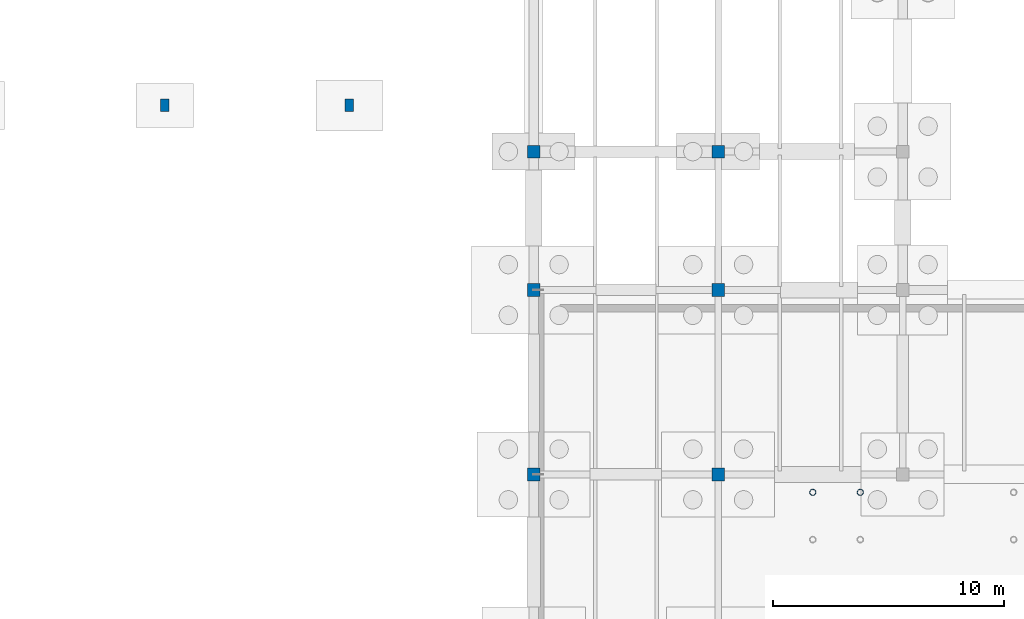
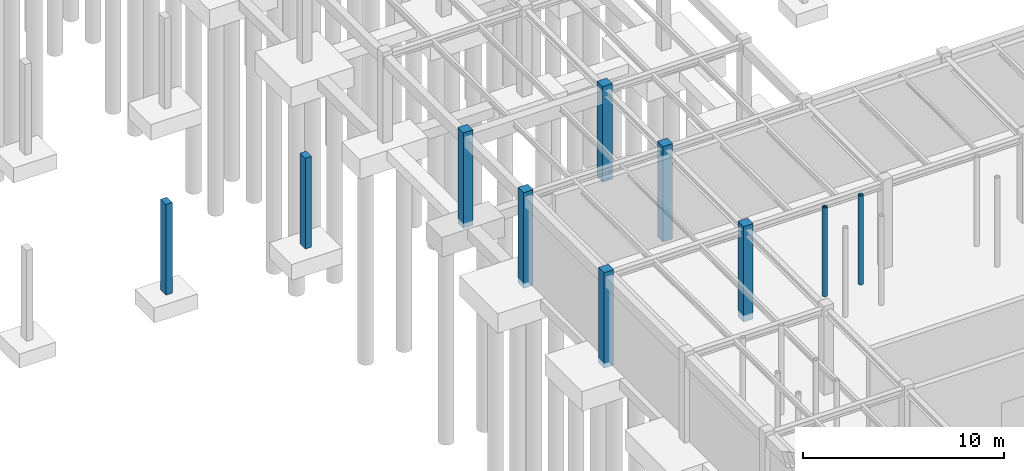
# One storey, part 15 of 71: 10 columns.
"""IFC4 building model written with IfcOpenShell, lengths in metres."""

from ifc_helpers import new_model, si_unit, direction, frame, origin, origin_2d, place, context, subcontext, project, spatial, rectangle, hollow_circle, extrude, material, material_profile, profile_set, type_object, element, save


model = new_model("IFC4")

# Units and contexts
model_context = context("Model", 3, precision=1e-05, world=origin(), true_north=direction((0.0, 1.0)))
body_context = subcontext(model_context, "Body", "Model", "MODEL_VIEW")
ifc_project = project(units=[si_unit("LENGTHUNIT", "METRE"), si_unit("AREAUNIT", "SQUARE_METRE"), si_unit("VOLUMEUNIT", "CUBIC_METRE"), si_unit("PLANEANGLEUNIT", "RADIAN"), si_unit("MASSUNIT", "GRAM", prefix="KILO")], contexts=[model_context])

# Site, building, storey
site_placement = place(None, origin())
site = spatial("IfcSite", under=ifc_project, at=site_placement, CompositionType="ELEMENT")
building_placement = place(site_placement, origin())
building = spatial("IfcBuilding", under=site, at=building_placement, Name="Sundkrona Museum", CompositionType="ELEMENT")
storey_placement = place(building_placement, frame((0.0, 0.0, -5.39990234375)))
storey = spatial("IfcBuildingStorey", under=building, at=storey_placement, Name="B1", CompositionType="ELEMENT", Elevation=-5.39990234375)

# Columns
ifc_material_1 = material(Name="Steel S355J2", Category="steel")
ifc_material_profile_1 = material_profile(ifc_material_1, hollow_circle(Radius=0.136474609375, WallThickness=0.012451171875, at=origin_2d()), Name="CHS 273.0x12.5")
ifc_profile_set_1 = profile_set([ifc_material_profile_1], Name="Steel S355J2")
column_type_1 = type_object("IfcColumnType", Name="C-CHS273", PredefinedType="COLUMN", material=ifc_profile_set_1)
for number, where, z_axis, x_axis, name in (
    (1, (92.10009765625, 31.22509765625, 0.0), (0.0, 0.0, 1.0), (1.0, 0.0, 0.0), "B1 Feature Stair FS-3 Column S1-2"),
    (2, (94.159912109375, 31.22509765625, 0.0), (0.0, 0.0, 1.0), (1.0, 0.0, 0.0), "B1 Feature Stair FS-3 Column S2-2"),
):
    element("IfcColumn", number, at=place(storey_placement, frame(where, z_axis=z_axis, x_axis=x_axis)), inside=storey, type_object=column_type_1, Name=name, PredefinedType="COLUMN", context=body_context, shape_type="SweptSolid", body=[
        extrude(hollow_circle(Radius=0.136474609375, WallThickness=0.012451171875, at=origin_2d()), origin(), (0.0, 0.0, 1.0), 5.39990234375),
    ])
ifc_material_2 = material(Name="Concrete C40/50", Category="concrete")
ifc_material_profile_2 = material_profile(ifc_material_2, rectangle(XDim=0.550048828125, YDim=0.550048828125, at=origin_2d()), Name="RC 550x550")
ifc_profile_set_2 = profile_set([ifc_material_profile_2], Name="Concrete C40/50")
column_type_2 = type_object("IfcColumnType", Name="C-RC550", PredefinedType="COLUMN", material=ifc_profile_set_2)
for number, where, z_axis, x_axis, name in (
    (3, (80.0, 32.0, -0.400146484375), (0.0, 0.0, 1.0), (1.0, 0.0, 0.0), "B1 Column E/11"),
    (4, (80.0, 40.0, -0.400146484375), (0.0, 0.0, 1.0), (1.0, 0.0, 0.0), "B1 Column F/11"),
    (5, (80.0, 46.0, -0.400146484375), (0.0, 0.0, 1.0), (1.0, 0.0, 0.0), "B1 Column G/11"),
    (6, (88.0, 32.0, -0.400146484375), (0.0, 0.0, 1.0), (1.0, 0.0, 0.0), "B1 Column E/12"),
    (7, (88.0, 40.0, -0.400146484375), (0.0, 0.0, 1.0), (1.0, 0.0, 0.0), "B1 Column F/12"),
    (8, (88.0, 46.0, -0.400146484375), (0.0, 0.0, 1.0), (1.0, 0.0, 0.0), "B1 Column G/12"),
):
    element("IfcColumn", number, at=place(storey_placement, frame(where, z_axis=z_axis, x_axis=x_axis)), inside=storey, type_object=column_type_2, Name=name, PredefinedType="COLUMN", context=body_context, shape_type="SweptSolid", body=[
        extrude(rectangle(XDim=0.550048828125, YDim=0.550048828125, at=origin_2d()), origin(), (0.0, 0.0, 1.0), 5.800048828125),
    ])
ifc_material_profile_3 = material_profile(ifc_material_2, rectangle(XDim=0.360107421875, YDim=0.5400390625, at=origin_2d()), Name="RC 540x360")
ifc_profile_set_3 = profile_set([ifc_material_profile_3], Name="Concrete C40/50")
column_type_3 = type_object("IfcColumnType", Name="PIL-540", PredefinedType="PILASTER", material=ifc_profile_set_3)
for number, where, z_axis, x_axis, name in (
    (9, (64.0, 48.0, -0.10009765625), (0.0, 0.0, 1.0), (1.0, 0.0, 0.0), "Arcade Foundation Pier PF-CL-03"),
    (10, (72.0, 48.0, -0.10009765625), (0.0, 0.0, 1.0), (1.0, 0.0, 0.0), "Arcade Foundation Pier PF-CL-04"),
):
    element("IfcColumn", number, at=place(storey_placement, frame(where, z_axis=z_axis, x_axis=x_axis)), inside=storey, type_object=column_type_3, Name=name, PredefinedType="PILASTER", context=body_context, shape_type="SweptSolid", body=[
        extrude(rectangle(XDim=0.360107421875, YDim=0.5400390625, at=origin_2d()), origin(), (0.0, 0.0, 1.0), 5.5),
    ])

save(model, "model.ifc")
